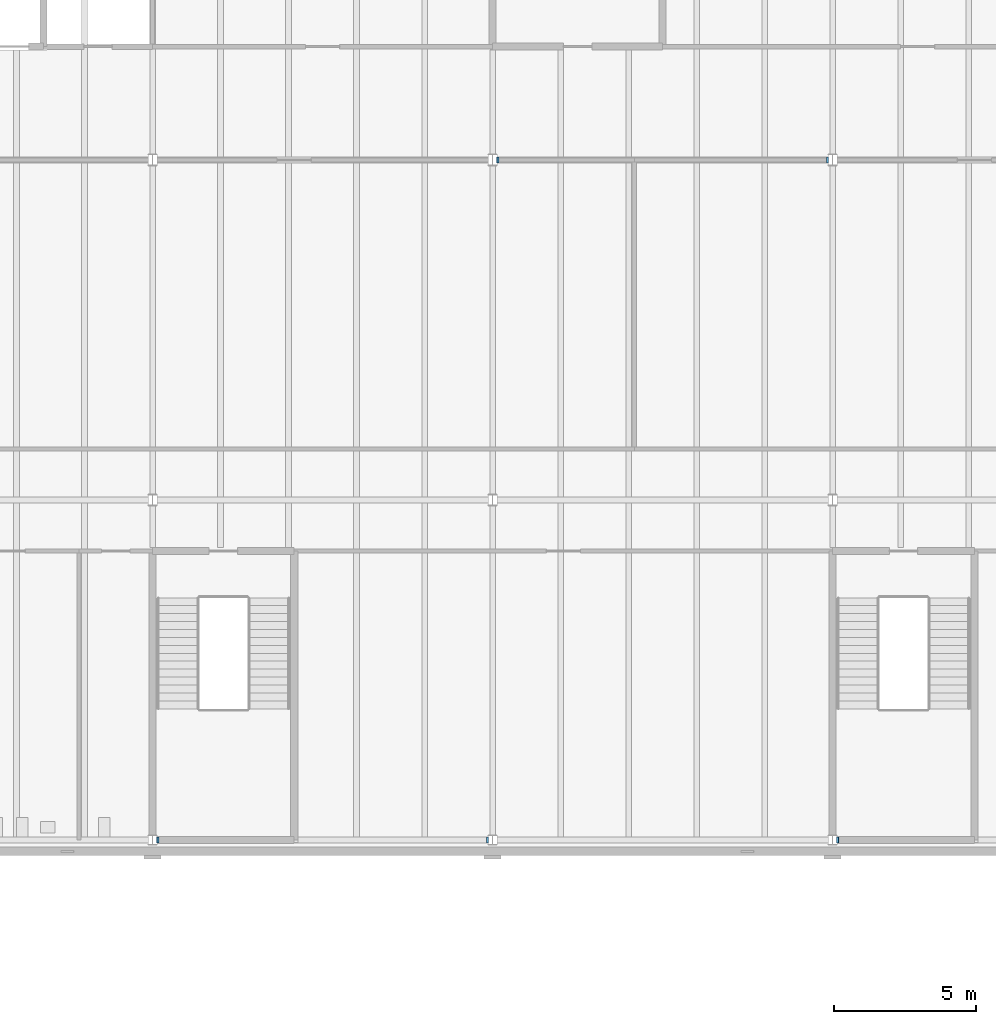
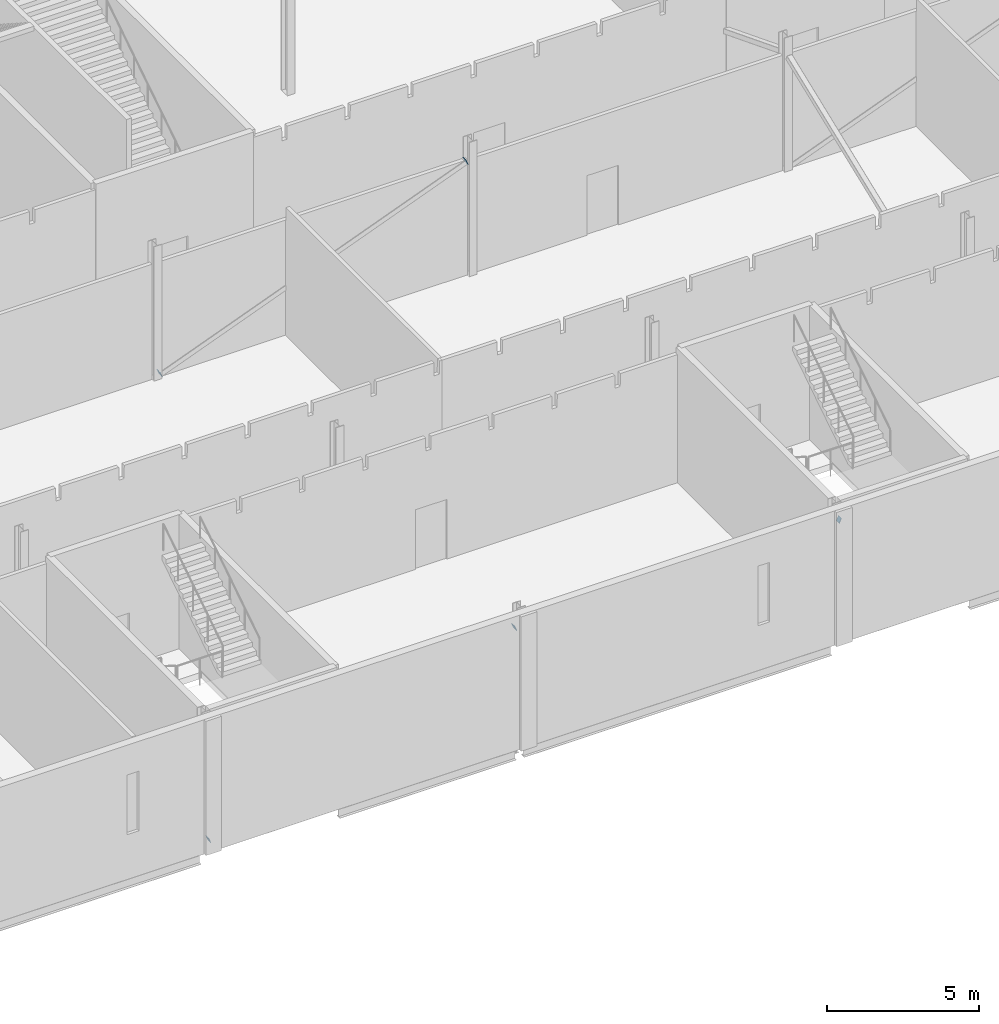
# One storey, part 137 of 170: 5 discrete accessories.
"""IFC4 building model written with IfcOpenShell, lengths in metres."""

from ifc_helpers import new_model, si_unit, direction, frame, origin, origin_2d, place, context, subcontext, project, spatial, rectangle, extrude, material, material_profile, profile_set, type_object, element, save


model = new_model("IFC4")

# Units and contexts
model_context = context("Model", 3, precision=1e-05, world=origin(), true_north=direction((0.0, 1.0)))
body_context = subcontext(model_context, "Body", "Model", "MODEL_VIEW")
ifc_project = project(units=[si_unit("LENGTHUNIT", "METRE"), si_unit("AREAUNIT", "SQUARE_METRE"), si_unit("VOLUMEUNIT", "CUBIC_METRE"), si_unit("PLANEANGLEUNIT", "RADIAN"), si_unit("MASSUNIT", "GRAM", prefix="KILO")], contexts=[model_context])

# Site, building, storey
site_placement = place(None, origin())
site = spatial("IfcSite", under=ifc_project, at=site_placement, CompositionType="ELEMENT")
building_placement = place(site_placement, origin())
building = spatial("IfcBuilding", under=site, at=building_placement, Name="Ravi Spectrum Wholesale Market", CompositionType="ELEMENT")
storey_placement = place(building_placement, frame((0.0, 0.0, 5.39990234375)))
storey = spatial("IfcBuildingStorey", under=building, at=storey_placement, Name="L01", CompositionType="ELEMENT", Elevation=5.39990234375)

# Discrete accessories
ifc_material = material(Name="Steel S355", Category="steel")
ifc_material_profile = material_profile(ifc_material, rectangle(XDim=0.199951171875, YDim=0.199951171875, at=origin_2d()))
ifc_profile_set = profile_set([ifc_material_profile], Name="Steel S355")
discrete_accessory_type = type_object("IfcDiscreteAccessoryType", Name="End plate SHS 200x200x8", PredefinedType="BRACKET", material=ifc_profile_set)
for number, where, z_axis, x_axis, name in (
    (1, (210.185791015625, 18.0, 0.093505859375), (-0.931242779706, 0.0, -0.364399348581), (0.0, -1.0, 0.0), "End plate"),
    (2, (221.814208984375, 18.0, 4.556640625), (0.931242779706, 0.0, 0.364399348581), (0.0, 1.0, 0.0), "End plate"),
    (3, (234.185791015625, 18.0, 4.556640625), (-0.931242779706, 0.0, 0.364399348581), (0.0, -1.0, 0.0), "End plate"),
    (4, (222.185791015625, 42.0, 0.093505859375), (-0.931242779706, 0.0, -0.364399348581), (0.0, -1.0, 0.0), "End plate"),
    (5, (233.814208984375, 42.0, 4.556640625), (0.931242779706, 0.0, 0.364399348581), (0.0, 1.0, 0.0), "End plate"),
):
    element("IfcDiscreteAccessory", number, at=place(storey_placement, frame(where, z_axis=z_axis, x_axis=x_axis)), inside=storey, type_object=discrete_accessory_type, Name=name, PredefinedType="BRACKET", context=body_context, shape_type="SweptSolid", body=[
        extrude(rectangle(XDim=0.199951171875, YDim=0.199951171875, at=origin_2d()), origin(), (0.0, 0.0, 1.0), 0.011962890625),
    ])

save(model, "model.ifc")
